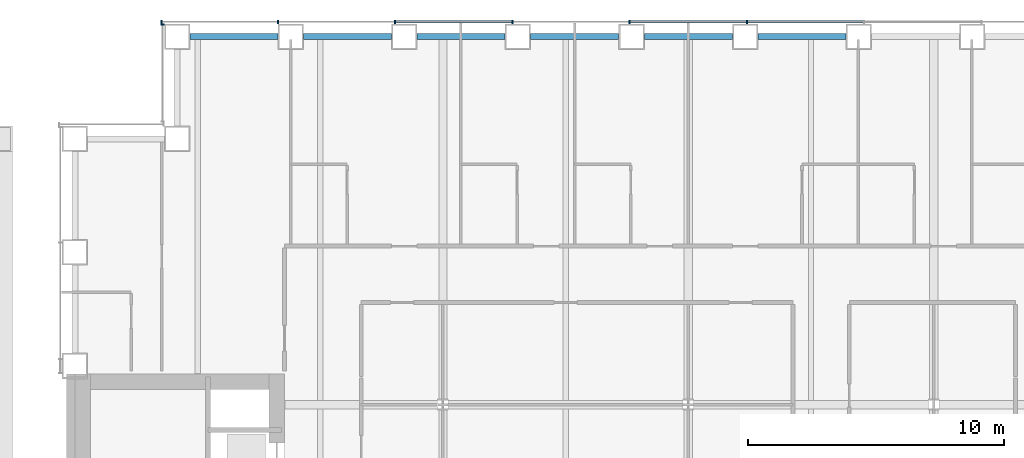
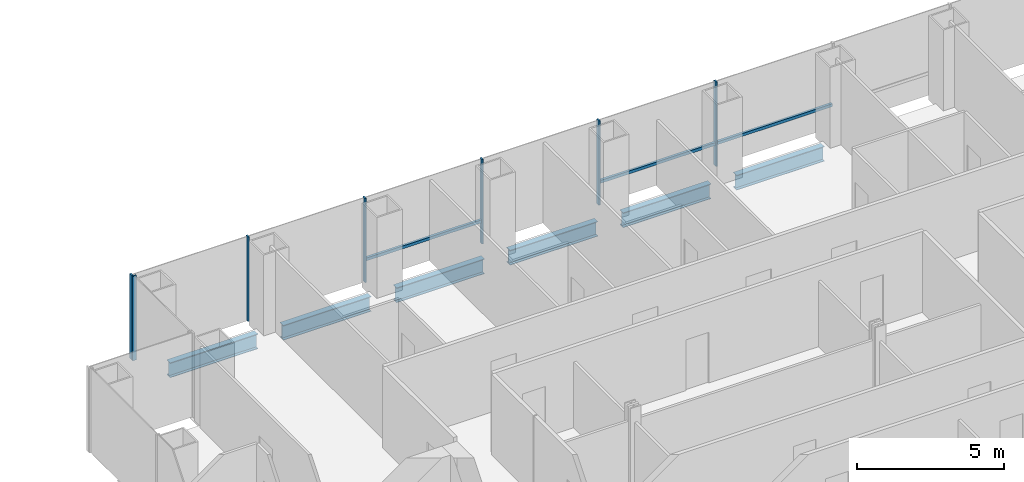
# One storey, part 9 of 23: 10 members, 6 beams, 2 elements without a shape of their own.
"""IFC4 building model written with IfcOpenShell, lengths in metres."""

import ifcopenshell
import ifcopenshell.guid

model = None  # the IFC model being written
_history = None  # IfcOwnerHistory: only IFC2X3 demands one
_inside = {}  # id of a spatial element -> (the spatial element, [elements in it])
_under = {}  # id of a project, library or spatial element -> (it, [spatial elements below it])
_declared = {}  # id of a project -> (the project, [libraries it declares])
_typed = {}  # id of a type object -> (the type object, [elements of that type])
_made_of = {}  # id of a material, layer set ... -> (it, [elements and type objects made of it])


def new_model(schema):
    """Start an empty IFC model of exactly this schema.

    Asked for "IFC4X3", IfcOpenShell would pick the latest addendum, in which some entities
    have other attributes; the version numbers below select the first issue.
    IFC2X3 requires an IfcOwnerHistory on every rooted entity: one is made here for all.
    """
    global model, _history
    if schema == "IFC4X3":
        model = ifcopenshell.file(schema_version=(4, 3, 0, 0))
    else:
        model = ifcopenshell.file(schema=schema)
    _inside.clear()
    _under.clear()
    _declared.clear()
    _typed.clear()
    _made_of.clear()
    _history = None
    if model.schema == "IFC2X3":
        org = make("IfcOrganization", Name="unknown")
        user = make(
            "IfcPersonAndOrganization",
            ThePerson=make("IfcPerson", FamilyName="unknown"),
            TheOrganization=org,
        )
        app = make(
            "IfcApplication",
            ApplicationDeveloper=org,
            Version="unknown",
            ApplicationFullName="unknown",
            ApplicationIdentifier="unknown",
        )
        _history = make(
            "IfcOwnerHistory",
            OwningUser=user,
            OwningApplication=app,
            ChangeAction="ADDED",
            CreationDate=0,
        )
    return model


def make(cls, **values):
    """One entity of the class cls with the attributes given. An attribute that is None is left unset."""
    return model.create_entity(
        cls, **{name: value for name, value in values.items() if value is not None}
    )


def rooted(cls, **values):
    """An entity with a GlobalId (a new one), such as an element, a storey or a relation."""
    return make(cls, GlobalId=ifcopenshell.guid.new(), OwnerHistory=_history, **values)


def si_unit(unit_type, name, prefix=None):
    """IfcSIUnit, for example si_unit("LENGTHUNIT", "METRE", prefix="MILLI")."""
    return make("IfcSIUnit", UnitType=unit_type, Prefix=prefix, Name=name)


def assignment(units):
    """IfcUnitAssignment: the units of a project."""
    return None if units is None else make("IfcUnitAssignment", Units=units)


def point(xyz):
    """IfcCartesianPoint."""
    return None if xyz is None else make("IfcCartesianPoint", Coordinates=xyz)


def direction(xyz):
    """IfcDirection."""
    return None if xyz is None else make("IfcDirection", DirectionRatios=xyz)


def frame(location, z_axis=None, x_axis=None):
    """IfcAxis2Placement3D, a coordinate frame: its origin and axes. An axis left out is left unset."""
    return make(
        "IfcAxis2Placement3D",
        Location=point(location),
        Axis=direction(z_axis),
        RefDirection=direction(x_axis),
    )


def frame_2d(location, x_axis=None):
    """IfcAxis2Placement2D, a coordinate frame in the plane: its origin and x axis."""
    return make(
        "IfcAxis2Placement2D", Location=point(location), RefDirection=direction(x_axis)
    )


def origin():
    """The frame at (0, 0, 0) with its axes left unset."""
    return frame((0.0, 0.0, 0.0))


def origin_2d():
    """The frame at (0, 0) in the plane with its x axis left unset."""
    return frame_2d((0.0, 0.0))


def place(relative_to, where):
    """IfcLocalPlacement: puts the frame where relative to a parent placement (None: the world)."""
    return make(
        "IfcLocalPlacement", PlacementRelTo=relative_to, RelativePlacement=where
    )


def context(
    kind, dimensions, precision=None, world=None, true_north=None, identifier=None
):
    """IfcGeometricRepresentationContext, for example the 3D "Model" context."""
    return make(
        "IfcGeometricRepresentationContext",
        ContextIdentifier=identifier,
        ContextType=kind,
        CoordinateSpaceDimension=dimensions,
        Precision=precision,
        WorldCoordinateSystem=world,
        TrueNorth=true_north,
    )


def subcontext(parent, identifier, kind, view, scale=None):
    """IfcGeometricRepresentationSubContext, for example "Body" below "Model"."""
    return make(
        "IfcGeometricRepresentationSubContext",
        ContextIdentifier=identifier,
        ContextType=kind,
        ParentContext=parent,
        TargetScale=scale,
        TargetView=view,
    )


def project(units=None, contexts=None):
    """IfcProject with its units and contexts."""
    return rooted(
        "IfcProject",
        Name="project",
        RepresentationContexts=contexts,
        UnitsInContext=assignment(units),
    )


def spatial(cls, under=None, at=None, **own):
    """A site, building, storey or space (cls), placed at a placement, below another one or the project."""
    s = rooted(cls, ObjectPlacement=at, **own)
    if under is not None:
        _under.setdefault(under.id(), (under, []))[1].append(s)
    return s


def profile(cls, at=None, kind="AREA", **sizes):
    """A parametric profile (cls). Its sizes go by their IFC names, for example OverallWidth=200.0."""
    return make(cls, ProfileType=kind, Position=at, **sizes)


def rectangle(**sizes):
    """IfcRectangleProfileDef."""
    return profile("IfcRectangleProfileDef", **sizes)


def i_section(**sizes):
    """IfcIShapeProfileDef."""
    return profile("IfcIShapeProfileDef", **sizes)


def extrude(swept, where, along, depth):
    """IfcExtrudedAreaSolid: the profile swept, set in the frame where, extruded along a direction by depth."""
    return make(
        "IfcExtrudedAreaSolid",
        SweptArea=swept,
        Position=where,
        ExtrudedDirection=direction(along),
        Depth=depth,
    )


def shape(context_of_items, identifier, shape_type, items):
    """IfcShapeRepresentation: the items that make up one representation, for example the "Body"."""
    return make(
        "IfcShapeRepresentation",
        ContextOfItems=context_of_items,
        RepresentationIdentifier=identifier,
        RepresentationType=shape_type,
        Items=items,
    )


def material(Name=None, Category=None):
    """IfcMaterial."""
    return make("IfcMaterial", Name=Name, Category=Category)


def material_profile(
    of_material, cross_section, Name=None, Category=None, Priority=None
):
    """IfcMaterialProfile: a cross section and its material."""
    return make(
        "IfcMaterialProfile",
        Name=Name,
        Material=of_material,
        Profile=cross_section,
        Priority=Priority,
        Category=Category,
    )


def profile_set(profiles, Name=None, composite=None):
    """IfcMaterialProfileSet."""
    return make(
        "IfcMaterialProfileSet",
        Name=Name,
        MaterialProfiles=profiles,
        CompositeProfile=composite,
    )


def made_of(thing, what):
    """Note that an element or type object is made of a material, layer set ...; save() writes the relation."""
    if what is not None:
        _made_of.setdefault(what.id(), (what, []))[1].append(thing)
    return thing


def type_object(cls, material=None, **own):
    """A type object (cls), such as IfcWallType, which elements share."""
    return made_of(rooted(cls, **own), material)


def element(
    cls,
    number,
    at=None,
    inside=None,
    cuts=None,
    type_object=None,
    material=None,
    context=None,
    identifier="Body",
    shape_type=None,
    held_by="IfcProductDefinitionShape",
    body=None,
    shapes=None,
    **own,
):
    """One element of the class cls, such as IfcWall. Its Tag is "e" and its number.

    at: its placement. inside: the storey or other place that contains it. cuts: it is an
    opening in that element (IfcRelVoidsElement). A single representation is given by context,
    identifier, shape_type and body (its items); several are given by shapes. held_by: the class
    of the entity that holds the representations. save() writes the other relations.
    """
    e = rooted(cls, Tag="e%d" % number, ObjectPlacement=at, **own)
    if body is not None:
        shapes = [shape(context, identifier, shape_type, body)]
    if shapes is not None:
        e.Representation = make(held_by, Representations=shapes)
    if inside is not None:
        _inside.setdefault(inside.id(), (inside, []))[1].append(e)
    if cuts is not None:
        rooted(
            "IfcRelVoidsElement", RelatingBuildingElement=cuts, RelatedOpeningElement=e
        )
    if type_object is not None:
        _typed.setdefault(type_object.id(), (type_object, []))[1].append(e)
    return made_of(e, material)


def aggregate(whole, parts):
    """IfcRelAggregates: a whole, such as a stair, and the parts it consists of."""
    return rooted("IfcRelAggregates", RelatingObject=whole, RelatedObjects=parts)


def save(model, path):
    """Write the relations noted so far, then the file.

    IfcRelAggregates (storeys below a building ...), IfcRelContainedInSpatialStructure (elements
    in a storey), IfcRelDefinesByType, IfcRelAssociatesMaterial and IfcRelDeclares: one each for
    every whole, place, type object, material and project.
    """
    for whole, parts in _under.values():
        aggregate(whole, parts)
    for where, things in _inside.values():
        rooted(
            "IfcRelContainedInSpatialStructure",
            RelatedElements=things,
            RelatingStructure=where,
        )
    for kind, things in _typed.values():
        rooted("IfcRelDefinesByType", RelatedObjects=things, RelatingType=kind)
    for what, things in _made_of.values():
        rooted("IfcRelAssociatesMaterial", RelatedObjects=things, RelatingMaterial=what)
    for by, libraries in _declared.values():
        rooted("IfcRelDeclares", RelatingContext=by, RelatedDefinitions=libraries)
    model.write(path)


model = new_model("IFC4")

# Units and contexts
model_context = context("Model", 3, precision=1e-05, world=origin(), true_north=direction((0.0, 1.0)))
body_context = subcontext(model_context, "Body", "Model", "MODEL_VIEW")
ifc_project = project(units=[si_unit("LENGTHUNIT", "METRE"), si_unit("AREAUNIT", "SQUARE_METRE"), si_unit("VOLUMEUNIT", "CUBIC_METRE"), si_unit("PLANEANGLEUNIT", "RADIAN"), si_unit("MASSUNIT", "GRAM", prefix="KILO")], contexts=[model_context])

# Site, building, storey
site_placement = place(None, origin())
site = spatial("IfcSite", under=ifc_project, at=site_placement, CompositionType="ELEMENT")
building_placement = place(site_placement, origin())
building = spatial("IfcBuilding", under=site, at=building_placement, Name="Cobrizo Arcos Hotel Tower", CompositionType="ELEMENT")
storey_placement = place(building_placement, frame((0.0, 0.0, 56.5)))
storey = spatial("IfcBuildingStorey", under=building, at=storey_placement, Name="L12", CompositionType="ELEMENT", Elevation=56.5)

# Curtain wall, members
ifc_material_1 = material(Name="Aluminium 6063-T6 anodised bronze", Category="aluminium")
curtain_wall_type = type_object("IfcCurtainWallType", Name="CW-A guest facade", PredefinedType="NOTDEFINED", material=ifc_material_1)
curtain_wall_1_placement = place(storey_placement, origin())
curtain_wall_1 = element("IfcCurtainWall", 1, at=curtain_wall_1_placement, inside=storey, type_object=curtain_wall_type, Name="CW-A L12 N face", PredefinedType="NOTDEFINED")
ifc_material_profile_1 = material_profile(ifc_material_1, rectangle(XDim=0.14990234375, YDim=0.06005859375, at=origin_2d()), Name="CW-A mullion 150x60")
ifc_profile_set_1 = profile_set([ifc_material_profile_1], Name="Aluminium 6063-T6 anodised bronze")
member_type_1 = type_object("IfcMemberType", Name="CW-A mullion 150x60", PredefinedType="MULLION", material=ifc_profile_set_1)
member_1_placement = place(storey_placement, frame((2.29443359375, 24.574951171875, 0.0), z_axis=(0.0, 0.0, 1.0), x_axis=(0.0, 1.0, 0.0)))
member_1 = element("IfcMember", 2, at=member_1_placement, type_object=member_type_1, Name="CW-A mullion 5", PredefinedType="MULLION", context=body_context, shape_type="SweptSolid", body=[
    extrude(rectangle(XDim=0.14990234375, YDim=0.06005859375, at=origin_2d()), origin(), (0.0, 0.0, 1.0), 3.5),
])
member_2_placement = place(storey_placement, frame((-2.29443359375, 24.574951171875, 0.0), z_axis=(0.0, 0.0, 1.0), x_axis=(0.0, 1.0, 0.0)))
member_2 = element("IfcMember", 3, at=member_2_placement, type_object=member_type_1, Name="CW-A mullion 6", PredefinedType="MULLION", context=body_context, shape_type="SweptSolid", body=[
    extrude(rectangle(XDim=0.14990234375, YDim=0.06005859375, at=origin_2d()), origin(), (0.0, 0.0, 1.0), 3.5),
])
member_3_placement = place(storey_placement, frame((-6.88330078125, 24.574951171875, 0.0), z_axis=(0.0, 0.0, 1.0), x_axis=(0.0, 1.0, 0.0)))
member_3 = element("IfcMember", 4, at=member_3_placement, type_object=member_type_1, Name="CW-A mullion 7", PredefinedType="MULLION", context=body_context, shape_type="SweptSolid", body=[
    extrude(rectangle(XDim=0.14990234375, YDim=0.06005859375, at=origin_2d()), origin(), (0.0, 0.0, 1.0), 3.5),
])
member_4_placement = place(storey_placement, frame((-11.47216796875, 24.574951171875, 0.0), z_axis=(0.0, 0.0, 1.0), x_axis=(0.0, 1.0, 0.0)))
member_4 = element("IfcMember", 5, at=member_4_placement, type_object=member_type_1, Name="CW-A mullion 8", PredefinedType="MULLION", context=body_context, shape_type="SweptSolid", body=[
    extrude(rectangle(XDim=0.14990234375, YDim=0.06005859375, at=origin_2d()), origin(), (0.0, 0.0, 1.0), 3.5),
])
member_5_placement = place(storey_placement, frame((-16.06103515625, 24.574951171875, 0.0), z_axis=(0.0, 0.0, 1.0), x_axis=(0.0, 1.0, 0.0)))
member_5 = element("IfcMember", 6, at=member_5_placement, type_object=member_type_1, Name="CW-A mullion 9", PredefinedType="MULLION", context=body_context, shape_type="SweptSolid", body=[
    extrude(rectangle(XDim=0.14990234375, YDim=0.06005859375, at=origin_2d()), origin(), (0.0, 0.0, 1.0), 3.5),
])
member_6_placement = place(storey_placement, frame((-20.6201171875, 24.574951171875, 0.0), z_axis=(0.0, 0.0, 1.0), x_axis=(0.0, 1.0, 0.0)))
member_6 = element("IfcMember", 7, at=member_6_placement, type_object=member_type_1, Name="CW-A mullion 10", PredefinedType="MULLION", context=body_context, shape_type="SweptSolid", body=[
    extrude(rectangle(XDim=0.14990234375, YDim=0.06005859375, at=origin_2d()), origin(), (0.0, 0.0, 1.0), 3.5),
])

# Curtain wall, member
curtain_wall_2_placement = place(storey_placement, origin())
curtain_wall_2 = element("IfcCurtainWall", 8, at=curtain_wall_2_placement, inside=storey, type_object=curtain_wall_type, Name="CW-A L12 W face", PredefinedType="NOTDEFINED")
member_7_placement = place(storey_placement, frame((-20.574951171875, 24.469970703125, 0.0), z_axis=(0.0, 0.0, 1.0), x_axis=(-1.0, 0.0, 0.0)))
member_7 = element("IfcMember", 9, at=member_7_placement, type_object=member_type_1, Name="CW-A mullion 1", PredefinedType="MULLION", context=body_context, shape_type="SweptSolid", body=[
    extrude(rectangle(XDim=0.14990234375, YDim=0.06005859375, at=origin_2d()), origin(), (0.0, 0.0, 1.0), 3.5),
])
aggregate(curtain_wall_2, [member_7])

# Member
ifc_material_profile_2 = material_profile(ifc_material_1, rectangle(XDim=0.10009765625, YDim=0.1201171875, at=origin_2d()), Name="CW-A transom 120x100")
ifc_profile_set_2 = profile_set([ifc_material_profile_2], Name="Aluminium 6063-T6 anodised bronze")
member_type_2 = type_object("IfcMemberType", Name="CW-A transom 120x100", PredefinedType="USERDEFINED", material=ifc_profile_set_2)
member_8_placement = place(storey_placement, frame((6.853271484375, 24.574951171875, 0.929931640625), z_axis=(-1.0, 0.0, 0.0), x_axis=(0.0, -1.0, 0.0)))
member_8 = element("IfcMember", 10, at=member_8_placement, type_object=member_type_2, Name="CW-A transom 573", ObjectType="TRANSOM", PredefinedType="USERDEFINED", context=body_context, shape_type="SweptSolid", body=[
    extrude(rectangle(XDim=0.10009765625, YDim=0.1201171875, at=origin_2d()), origin(), (0.0, 0.0, 1.0), 4.52880859375),
])

member_9_placement = place(storey_placement, frame((2.264404296875, 24.574951171875, 0.929931640625), z_axis=(-1.0, 0.0, 0.0), x_axis=(0.0, -1.0, 0.0)))
member_9 = element("IfcMember", 11, at=member_9_placement, type_object=member_type_2, Name="CW-A transom 574", ObjectType="TRANSOM", PredefinedType="USERDEFINED", context=body_context, shape_type="SweptSolid", body=[
    extrude(rectangle(XDim=0.10009765625, YDim=0.1201171875, at=origin_2d()), origin(), (0.0, 0.0, 1.0), 4.52880859375),
])

member_10_placement = place(storey_placement, frame((-6.913330078125, 24.574951171875, 0.929931640625), z_axis=(-1.0, 0.0, 0.0), x_axis=(0.0, -1.0, 0.0)))
member_10 = element("IfcMember", 12, at=member_10_placement, type_object=member_type_2, Name="CW-A transom 576", ObjectType="TRANSOM", PredefinedType="USERDEFINED", context=body_context, shape_type="SweptSolid", body=[
    extrude(rectangle(XDim=0.10009765625, YDim=0.1201171875, at=origin_2d()), origin(), (0.0, 0.0, 1.0), 4.52880859375),
])

aggregate(curtain_wall_1, [member_1, member_2, member_3, member_4, member_5, member_6, member_8, member_9, member_10])

# Beams
ifc_material_2 = material(Name="Steel ASTM A992 Grade 50", Category="steel")
ifc_material_profile_3 = material_profile(ifc_material_2, i_section(OverallWidth=0.23046875, OverallDepth=0.6171875, WebThickness=0.01318359375, FlangeThickness=0.022216796875, at=origin_2d()), Name="W24X94")
ifc_profile_set_3 = profile_set([ifc_material_profile_3], Name="Steel ASTM A992 Grade 50")
beam_type = type_object("IfcBeamType", Name="W24X94 spandrel", PredefinedType="SPANDREL", material=ifc_profile_set_3)
beam_1_placement = place(storey_placement, frame((6.1669921875, 24.0, -0.45849609375), z_axis=(-1.0, 0.0, 0.0), x_axis=(0.0, -1.0, 0.0)))
element("IfcBeam", 13, at=beam_1_placement, inside=storey, type_object=beam_type, Name="Spandrel beam W24X94, L12, no. 021", PredefinedType="SPANDREL", context=body_context, shape_type="SweptSolid", body=[
    extrude(i_section(OverallWidth=0.23046875, OverallDepth=0.6171875, WebThickness=0.01318359375, FlangeThickness=0.022216796875, at=origin_2d()), origin(), (0.0, 0.0, 1.0), 3.445068359375),
])
beam_2_placement = place(storey_placement, frame((1.721923828125, 24.0, -0.45849609375), z_axis=(-1.0, 0.0, 0.0), x_axis=(0.0, -1.0, 0.0)))
element("IfcBeam", 14, at=beam_2_placement, inside=storey, type_object=beam_type, Name="Spandrel beam W24X94, L12, no. 022", PredefinedType="SPANDREL", context=body_context, shape_type="SweptSolid", body=[
    extrude(i_section(OverallWidth=0.23046875, OverallDepth=0.6171875, WebThickness=0.01318359375, FlangeThickness=0.022216796875, at=origin_2d()), origin(), (0.0, 0.0, 1.0), 3.44384765625),
])
beam_3_placement = place(storey_placement, frame((-2.721923828125, 24.0, -0.45849609375), z_axis=(-1.0, 0.0, 0.0), x_axis=(0.0, -1.0, 0.0)))
element("IfcBeam", 15, at=beam_3_placement, inside=storey, type_object=beam_type, Name="Spandrel beam W24X94, L12, no. 023", PredefinedType="SPANDREL", context=body_context, shape_type="SweptSolid", body=[
    extrude(i_section(OverallWidth=0.23046875, OverallDepth=0.6171875, WebThickness=0.01318359375, FlangeThickness=0.022216796875, at=origin_2d()), origin(), (0.0, 0.0, 1.0), 3.445068359375),
])
beam_4_placement = place(storey_placement, frame((-7.1669921875, 24.0, -0.45849609375), z_axis=(-1.0, 0.0, 0.0), x_axis=(0.0, -1.0, 0.0)))
element("IfcBeam", 16, at=beam_4_placement, inside=storey, type_object=beam_type, Name="Spandrel beam W24X94, L12, no. 024", PredefinedType="SPANDREL", context=body_context, shape_type="SweptSolid", body=[
    extrude(i_section(OverallWidth=0.23046875, OverallDepth=0.6171875, WebThickness=0.01318359375, FlangeThickness=0.022216796875, at=origin_2d()), origin(), (0.0, 0.0, 1.0), 3.444091796875),
])
beam_5_placement = place(storey_placement, frame((-11.611083984375, 24.0, -0.45849609375), z_axis=(-1.0, 0.0, 0.0), x_axis=(0.0, -1.0, 0.0)))
element("IfcBeam", 17, at=beam_5_placement, inside=storey, type_object=beam_type, Name="Spandrel beam W24X94, L12, no. 025", PredefinedType="SPANDREL", context=body_context, shape_type="SweptSolid", body=[
    extrude(i_section(OverallWidth=0.23046875, OverallDepth=0.6171875, WebThickness=0.01318359375, FlangeThickness=0.022216796875, at=origin_2d()), origin(), (0.0, 0.0, 1.0), 3.44482421875),
])
beam_6_placement = place(storey_placement, frame((-16.055908203125, 24.0, -0.45849609375), z_axis=(-1.0, 0.0, 0.0), x_axis=(0.0, -1.0, 0.0)))
element("IfcBeam", 18, at=beam_6_placement, inside=storey, type_object=beam_type, Name="Spandrel beam W24X94, L12, no. 026", PredefinedType="SPANDREL", context=body_context, shape_type="SweptSolid", body=[
    extrude(i_section(OverallWidth=0.23046875, OverallDepth=0.6171875, WebThickness=0.01318359375, FlangeThickness=0.022216796875, at=origin_2d()), origin(), (0.0, 0.0, 1.0), 3.444091796875),
])

save(model, "model.ifc")
